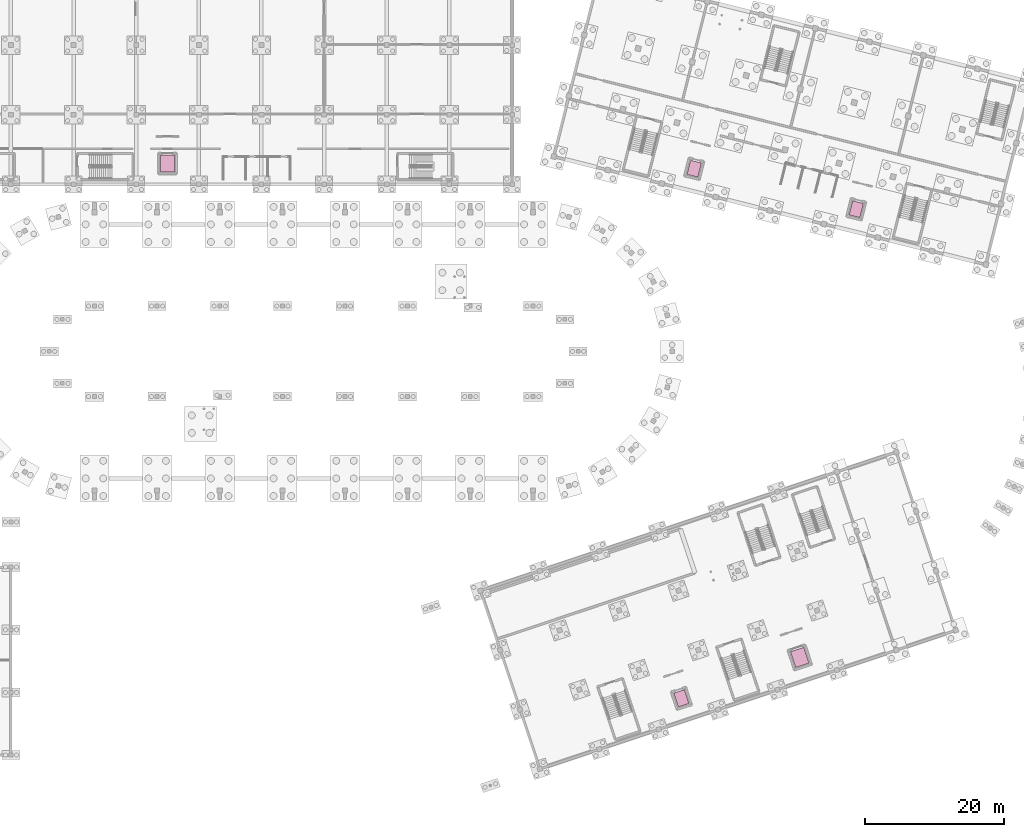
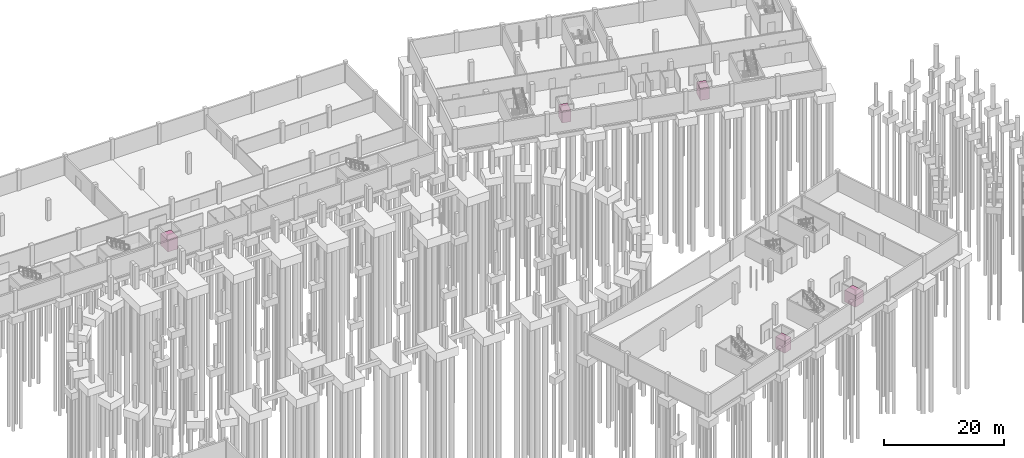
# One storey, part 36 of 36: 5 transport elements.
"""IFC4 building model written with IfcOpenShell, lengths in metres."""

from ifc_helpers import new_model, si_unit, derived_unit, direction, frame, origin, origin_2d, place, context, subcontext, project, spatial, rectangle, extrude, material, type_object, element, save


model = new_model("IFC4")

# Units and contexts
model_context = context("Model", 3, precision=1e-05, world=origin(), true_north=direction((0.0, 1.0)))
body_context = subcontext(model_context, "Body", "Model", "MODEL_VIEW")
ifc_project = project(units=[si_unit("LENGTHUNIT", "METRE"), si_unit("AREAUNIT", "SQUARE_METRE"), si_unit("VOLUMEUNIT", "CUBIC_METRE"), si_unit("PLANEANGLEUNIT", "RADIAN"), si_unit("MASSUNIT", "GRAM", prefix="KILO"), si_unit("THERMODYNAMICTEMPERATUREUNIT", "KELVIN"), si_unit("TIMEUNIT", "SECOND"), derived_unit("THERMALTRANSMITTANCEUNIT", [(si_unit("MASSUNIT", "GRAM", prefix="KILO"), 1), (si_unit("THERMODYNAMICTEMPERATUREUNIT", "KELVIN"), -1), (si_unit("TIMEUNIT", "SECOND"), -3)])], contexts=[model_context])

# Site, building, storey
site_placement = place(None, origin())
site = spatial("IfcSite", under=ifc_project, at=site_placement, CompositionType="ELEMENT")
building_placement = place(site_placement, origin())
building = spatial("IfcBuilding", under=site, at=building_placement, Name="Cambertide Market Hall", CompositionType="ELEMENT")
storey_placement = place(building_placement, frame((0.0, 0.0, -4.199951171875)))
storey = spatial("IfcBuildingStorey", under=building, at=storey_placement, Name="B1", CompositionType="ELEMENT", Elevation=-4.199951171875)

# Transport elements
ifc_material_1 = material(Name="Stainless Steel Grade 316", Category="metal")
transport_element_type_1 = type_object("IfcTransportElementType", Name="Cold-Chain Goods Lift Car 2500 kg", PredefinedType="ELEVATOR", material=ifc_material_1)
for number, where, z_axis, x_axis, name in (
    (1, (52.5, 99.0, 0.0), (0.0, 0.0, 1.0), (1.0, 0.0, 0.0), "Cold-Chain Goods Lift LG-01"),
    (2, (143.346435546875, 28.03271484375, 0.0), (0.0, 0.0, 1.0), (0.94868329805, 0.316227766018, 0.0), "Market & Kitchen Goods Lift LG-02"),
):
    element("IfcTransportElement", number, at=place(storey_placement, frame(where, z_axis=z_axis, x_axis=x_axis)), inside=storey, type_object=transport_element_type_1, Name=name, PredefinedType="ELEVATOR", context=body_context, shape_type="SweptSolid", body=[
        extrude(rectangle(XDim=2.0, YDim=2.39990234375, at=origin_2d()), origin(), (0.0, 0.0, 1.0), 2.39990234375),
    ])
ifc_material_2 = material(Name="Stainless Steel Grade 316", Category="metal")
transport_element_type_2 = type_object("IfcTransportElementType", Name="Passenger Lift Car 1600 kg", PredefinedType="ELEVATOR", material=ifc_material_2)
for number, where, z_axis, x_axis, name in (
    (3, (126.33349609375, 22.15087890625, 0.0), (0.0, 0.0, 1.0), (0.94868329805, 0.316227766018, 0.0), "Passenger Lift LP-02"),
    (4, (128.178955078125, 98.253662109375, 0.0), (0.0, 0.0, 1.0), (0.970142500145, -0.242535625038, 0.0), "Passenger Lift LP-03"),
    (5, (151.46240234375, 92.432861328125, 0.0), (0.0, 0.0, 1.0), (0.970142500145, -0.242535625038, 0.0), "Passenger Lift LP-04"),
):
    element("IfcTransportElement", number, at=place(storey_placement, frame(where, z_axis=z_axis, x_axis=x_axis)), inside=storey, type_object=transport_element_type_2, Name=name, PredefinedType="ELEVATOR", context=body_context, shape_type="SweptSolid", body=[
        extrude(rectangle(XDim=1.60009765625, YDim=2.10009765625, at=origin_2d()), origin(), (0.0, 0.0, 1.0), 2.39990234375),
    ])

save(model, "model.ifc")
